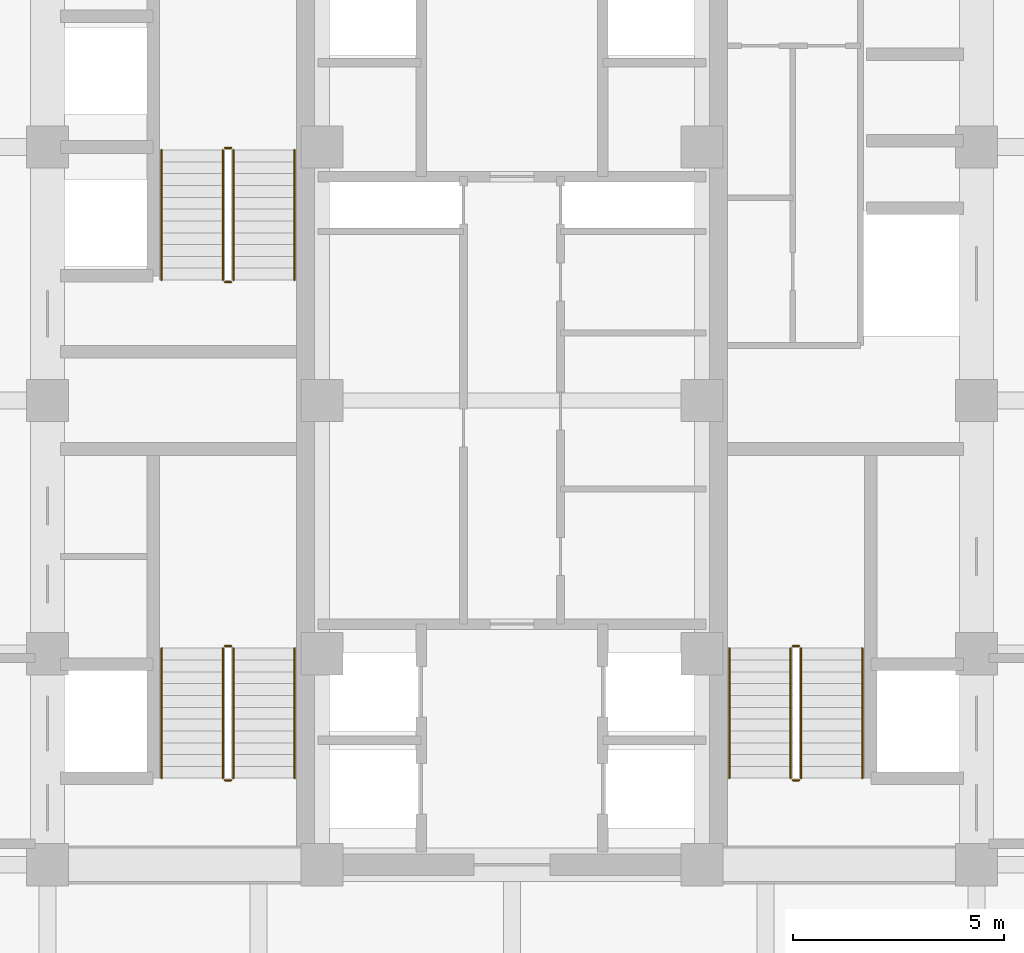
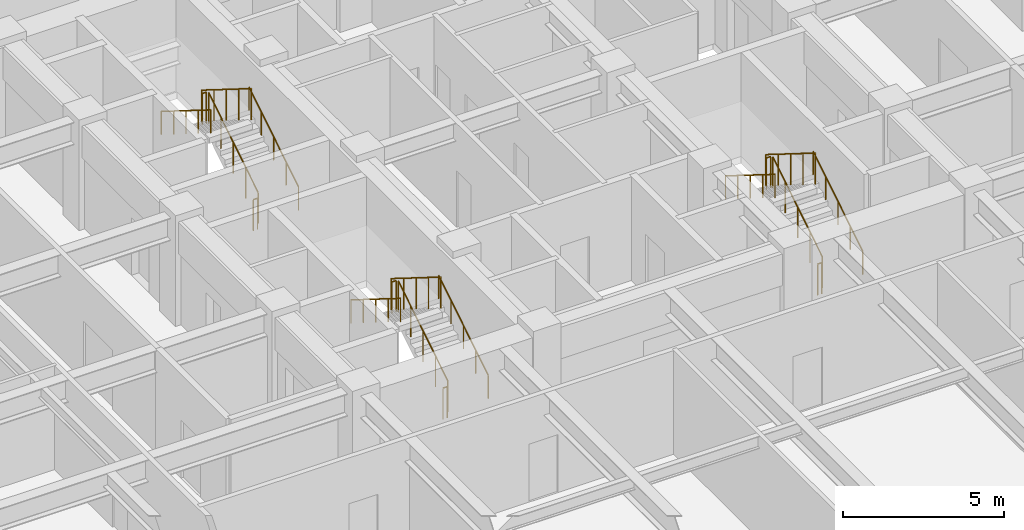
# One storey, part 27 of 27: 18 railings.
"""IFC4 building model written with IfcOpenShell, lengths in metres."""

import ifcopenshell
import ifcopenshell.guid

model = None  # the IFC model being written
_history = None  # IfcOwnerHistory: only IFC2X3 demands one
_inside = {}  # id of a spatial element -> (the spatial element, [elements in it])
_under = {}  # id of a project, library or spatial element -> (it, [spatial elements below it])
_declared = {}  # id of a project -> (the project, [libraries it declares])
_typed = {}  # id of a type object -> (the type object, [elements of that type])
_made_of = {}  # id of a material, layer set ... -> (it, [elements and type objects made of it])


def new_model(schema):
    """Start an empty IFC model of exactly this schema.

    Asked for "IFC4X3", IfcOpenShell would pick the latest addendum, in which some entities
    have other attributes; the version numbers below select the first issue.
    IFC2X3 requires an IfcOwnerHistory on every rooted entity: one is made here for all.
    """
    global model, _history
    if schema == "IFC4X3":
        model = ifcopenshell.file(schema_version=(4, 3, 0, 0))
    else:
        model = ifcopenshell.file(schema=schema)
    _inside.clear()
    _under.clear()
    _declared.clear()
    _typed.clear()
    _made_of.clear()
    _history = None
    if model.schema == "IFC2X3":
        org = make("IfcOrganization", Name="unknown")
        user = make(
            "IfcPersonAndOrganization",
            ThePerson=make("IfcPerson", FamilyName="unknown"),
            TheOrganization=org,
        )
        app = make(
            "IfcApplication",
            ApplicationDeveloper=org,
            Version="unknown",
            ApplicationFullName="unknown",
            ApplicationIdentifier="unknown",
        )
        _history = make(
            "IfcOwnerHistory",
            OwningUser=user,
            OwningApplication=app,
            ChangeAction="ADDED",
            CreationDate=0,
        )
    return model


def make(cls, **values):
    """One entity of the class cls with the attributes given. An attribute that is None is left unset."""
    return model.create_entity(
        cls, **{name: value for name, value in values.items() if value is not None}
    )


def rooted(cls, **values):
    """An entity with a GlobalId (a new one), such as an element, a storey or a relation."""
    return make(cls, GlobalId=ifcopenshell.guid.new(), OwnerHistory=_history, **values)


def si_unit(unit_type, name, prefix=None):
    """IfcSIUnit, for example si_unit("LENGTHUNIT", "METRE", prefix="MILLI")."""
    return make("IfcSIUnit", UnitType=unit_type, Prefix=prefix, Name=name)


def assignment(units):
    """IfcUnitAssignment: the units of a project."""
    return None if units is None else make("IfcUnitAssignment", Units=units)


def point(xyz):
    """IfcCartesianPoint."""
    return None if xyz is None else make("IfcCartesianPoint", Coordinates=xyz)


def direction(xyz):
    """IfcDirection."""
    return None if xyz is None else make("IfcDirection", DirectionRatios=xyz)


def frame(location, z_axis=None, x_axis=None):
    """IfcAxis2Placement3D, a coordinate frame: its origin and axes. An axis left out is left unset."""
    return make(
        "IfcAxis2Placement3D",
        Location=point(location),
        Axis=direction(z_axis),
        RefDirection=direction(x_axis),
    )


def frame_2d(location, x_axis=None):
    """IfcAxis2Placement2D, a coordinate frame in the plane: its origin and x axis."""
    return make(
        "IfcAxis2Placement2D", Location=point(location), RefDirection=direction(x_axis)
    )


def origin():
    """The frame at (0, 0, 0) with its axes left unset."""
    return frame((0.0, 0.0, 0.0))


def origin_2d():
    """The frame at (0, 0) in the plane with its x axis left unset."""
    return frame_2d((0.0, 0.0))


def place(relative_to, where):
    """IfcLocalPlacement: puts the frame where relative to a parent placement (None: the world)."""
    return make(
        "IfcLocalPlacement", PlacementRelTo=relative_to, RelativePlacement=where
    )


def context(
    kind, dimensions, precision=None, world=None, true_north=None, identifier=None
):
    """IfcGeometricRepresentationContext, for example the 3D "Model" context."""
    return make(
        "IfcGeometricRepresentationContext",
        ContextIdentifier=identifier,
        ContextType=kind,
        CoordinateSpaceDimension=dimensions,
        Precision=precision,
        WorldCoordinateSystem=world,
        TrueNorth=true_north,
    )


def subcontext(parent, identifier, kind, view, scale=None):
    """IfcGeometricRepresentationSubContext, for example "Body" below "Model"."""
    return make(
        "IfcGeometricRepresentationSubContext",
        ContextIdentifier=identifier,
        ContextType=kind,
        ParentContext=parent,
        TargetScale=scale,
        TargetView=view,
    )


def project(units=None, contexts=None):
    """IfcProject with its units and contexts."""
    return rooted(
        "IfcProject",
        Name="project",
        RepresentationContexts=contexts,
        UnitsInContext=assignment(units),
    )


def spatial(cls, under=None, at=None, **own):
    """A site, building, storey or space (cls), placed at a placement, below another one or the project."""
    s = rooted(cls, ObjectPlacement=at, **own)
    if under is not None:
        _under.setdefault(under.id(), (under, []))[1].append(s)
    return s


def profile(cls, at=None, kind="AREA", **sizes):
    """A parametric profile (cls). Its sizes go by their IFC names, for example OverallWidth=200.0."""
    return make(cls, ProfileType=kind, Position=at, **sizes)


def circle(**sizes):
    """IfcCircleProfileDef."""
    return profile("IfcCircleProfileDef", **sizes)


def extrude(swept, where, along, depth):
    """IfcExtrudedAreaSolid: the profile swept, set in the frame where, extruded along a direction by depth."""
    return make(
        "IfcExtrudedAreaSolid",
        SweptArea=swept,
        Position=where,
        ExtrudedDirection=direction(along),
        Depth=depth,
    )


def shape(context_of_items, identifier, shape_type, items):
    """IfcShapeRepresentation: the items that make up one representation, for example the "Body"."""
    return make(
        "IfcShapeRepresentation",
        ContextOfItems=context_of_items,
        RepresentationIdentifier=identifier,
        RepresentationType=shape_type,
        Items=items,
    )


def source(mapping_origin, context_of_items, identifier, shape_type, items):
    """IfcRepresentationMap: a shape defined once, which mapped items show again and again."""
    return make(
        "IfcRepresentationMap",
        MappingOrigin=mapping_origin,
        MappedRepresentation=shape(context_of_items, identifier, shape_type, items),
    )


def transform(
    local_origin,
    x_axis=None,
    y_axis=None,
    z_axis=None,
    scale=None,
    scale2=None,
    scale3=None,
    uniform=True,
):
    """IfcCartesianTransformationOperator3D, or its non-uniform kind. x_axis, y_axis, z_axis: its Axis1, 2, 3."""
    if uniform:
        return make(
            "IfcCartesianTransformationOperator3D",
            Axis1=direction(x_axis),
            Axis2=direction(y_axis),
            LocalOrigin=point(local_origin),
            Scale=scale,
            Axis3=direction(z_axis),
        )
    return make(
        "IfcCartesianTransformationOperator3DnonUniform",
        Axis1=direction(x_axis),
        Axis2=direction(y_axis),
        LocalOrigin=point(local_origin),
        Scale=scale,
        Axis3=direction(z_axis),
        Scale2=scale2,
        Scale3=scale3,
    )


def mapped(mapping_source, mapping_target):
    """IfcMappedItem: shows the shape of a source again, moved by a transform."""
    return make(
        "IfcMappedItem", MappingSource=mapping_source, MappingTarget=mapping_target
    )


def material(Name=None, Category=None):
    """IfcMaterial."""
    return make("IfcMaterial", Name=Name, Category=Category)


def made_of(thing, what):
    """Note that an element or type object is made of a material, layer set ...; save() writes the relation."""
    if what is not None:
        _made_of.setdefault(what.id(), (what, []))[1].append(thing)
    return thing


def type_object(cls, material=None, **own):
    """A type object (cls), such as IfcWallType, which elements share."""
    return made_of(rooted(cls, **own), material)


def element(
    cls,
    number,
    at=None,
    inside=None,
    cuts=None,
    type_object=None,
    material=None,
    context=None,
    identifier="Body",
    shape_type=None,
    held_by="IfcProductDefinitionShape",
    body=None,
    shapes=None,
    **own,
):
    """One element of the class cls, such as IfcWall. Its Tag is "e" and its number.

    at: its placement. inside: the storey or other place that contains it. cuts: it is an
    opening in that element (IfcRelVoidsElement). A single representation is given by context,
    identifier, shape_type and body (its items); several are given by shapes. held_by: the class
    of the entity that holds the representations. save() writes the other relations.
    """
    e = rooted(cls, Tag="e%d" % number, ObjectPlacement=at, **own)
    if body is not None:
        shapes = [shape(context, identifier, shape_type, body)]
    if shapes is not None:
        e.Representation = make(held_by, Representations=shapes)
    if inside is not None:
        _inside.setdefault(inside.id(), (inside, []))[1].append(e)
    if cuts is not None:
        rooted(
            "IfcRelVoidsElement", RelatingBuildingElement=cuts, RelatedOpeningElement=e
        )
    if type_object is not None:
        _typed.setdefault(type_object.id(), (type_object, []))[1].append(e)
    return made_of(e, material)


def aggregate(whole, parts):
    """IfcRelAggregates: a whole, such as a stair, and the parts it consists of."""
    return rooted("IfcRelAggregates", RelatingObject=whole, RelatedObjects=parts)


def save(model, path):
    """Write the relations noted so far, then the file.

    IfcRelAggregates (storeys below a building ...), IfcRelContainedInSpatialStructure (elements
    in a storey), IfcRelDefinesByType, IfcRelAssociatesMaterial and IfcRelDeclares: one each for
    every whole, place, type object, material and project.
    """
    for whole, parts in _under.values():
        aggregate(whole, parts)
    for where, things in _inside.values():
        rooted(
            "IfcRelContainedInSpatialStructure",
            RelatedElements=things,
            RelatingStructure=where,
        )
    for kind, things in _typed.values():
        rooted("IfcRelDefinesByType", RelatedObjects=things, RelatingType=kind)
    for what, things in _made_of.values():
        rooted("IfcRelAssociatesMaterial", RelatedObjects=things, RelatingMaterial=what)
    for by, libraries in _declared.values():
        rooted("IfcRelDeclares", RelatingContext=by, RelatedDefinitions=libraries)
    model.write(path)


model = new_model("IFC4")

# Units and contexts
model_context = context("Model", 3, precision=1e-05, world=origin(), true_north=direction((0.0, 1.0)))
body_context = subcontext(model_context, "Body", "Model", "MODEL_VIEW")
ifc_project = project(units=[si_unit("LENGTHUNIT", "METRE"), si_unit("AREAUNIT", "SQUARE_METRE"), si_unit("VOLUMEUNIT", "CUBIC_METRE"), si_unit("PLANEANGLEUNIT", "RADIAN"), si_unit("MASSUNIT", "GRAM", prefix="KILO")], contexts=[model_context])

# Site, building, storey
site_placement = place(None, origin())
site = spatial("IfcSite", under=ifc_project, at=site_placement, CompositionType="ELEMENT")
building_placement = place(site_placement, origin())
building = spatial("IfcBuilding", under=site, at=building_placement, Name="Khorayat Bourse Tower", CompositionType="ELEMENT")
storey_placement = place(building_placement, frame((0.0, 0.0, 49.39990234375)))
storey = spatial("IfcBuildingStorey", under=building, at=storey_placement, Name="L10", CompositionType="ELEMENT", Elevation=49.39990234375)

# Railings
ifc_material_1 = material(Name="Powder-coated steel balustrade", Category="steel")
railing_type_1 = type_object("IfcRailingType", Name="RLG-GUARD-1200", PredefinedType="GUARDRAIL", material=ifc_material_1)
shared_shape_1 = source(origin(), body_context, "Body", "SweptSolid", [
    extrude(circle(Radius=0.02392578125, at=origin_2d()), frame((0.0, 0.0, 1.17578125), z_axis=(-1.0, 0.0, 0.0), x_axis=(0.0, -1.0, 0.0)), (0.0, 0.0, 1.0), 0.150146484375),
    extrude(circle(Radius=0.02099609375, at=origin_2d()), origin(), (0.0, 0.0, 1.0), 1.15185546875),
    extrude(circle(Radius=0.02099609375, at=origin_2d()), frame((-0.150146484375, 0.0, 0.0)), (0.0, 0.0, 1.0), 1.15185546875),
])
for number, where, name in (
    (1, (-6.64990234375, -5.820068359375, 2.10009765625), "L10 ST-1 stair guard 2"),
    (2, (-6.64990234375, -9.0, 0.0), "L10 ST-1 stair guard 4"),
    (3, (-6.64990234375, 5.97998046875, 2.10009765625), "L10 ST-2 stair guard 2"),
    (4, (-6.64990234375, 2.800048828125, 0.0), "L10 ST-2 stair guard 4"),
    (5, (6.800048828125, -5.820068359375, 2.10009765625), "L10 ST-3 stair guard 2"),
    (6, (6.800048828125, -9.0, 0.0), "L10 ST-3 stair guard 4"),
):
    element("IfcRailing", number, at=place(storey_placement, frame(where)), inside=storey, type_object=railing_type_1, Name=name, PredefinedType="GUARDRAIL", context=body_context, shape_type="MappedRepresentation", body=[
        mapped(shared_shape_1, transform((0.0, 0.0, 0.0), scale=1.0)),
    ])
shared_shape_2 = source(origin(), body_context, "Body", "SweptSolid", [
    extrude(circle(Radius=0.02392578125, at=origin_2d()), frame((0.0, 0.0, 1.17578125), z_axis=(0.0, 0.847979421464, 0.530029150871), x_axis=(-1.0, 0.0, 0.0)), (0.0, 0.0, 1.0), 3.632080078125),
    extrude(circle(Radius=0.02099609375, at=origin_2d()), origin(), (0.0, 0.0, 1.0), 1.15185546875),
    extrude(circle(Radius=0.02099609375, at=origin_2d()), frame((0.0, 0.77001953125, 0.481201171875)), (0.0, 0.0, 1.0), 1.15185546875),
    extrude(circle(Radius=0.02099609375, at=origin_2d()), frame((0.0, 1.5400390625, 0.96240234375)), (0.0, 0.0, 1.0), 1.15185546875),
    extrude(circle(Radius=0.02099609375, at=origin_2d()), frame((0.0, 2.309814453125, 1.44384765625)), (0.0, 0.0, 1.0), 1.15185546875),
    extrude(circle(Radius=0.02099609375, at=origin_2d()), frame((0.0, 3.079833984375, 1.925048828125)), (0.0, 0.0, 1.0), 1.15185546875),
])
for number, where, name in (
    (7, (-6.60009765625, -8.949951171875, 0.175048828125), "L10 ST-1 stair guard 1"),
    (8, (-6.60009765625, 2.85009765625, 0.175048828125), "L10 ST-2 stair guard 1"),
    (9, (6.85009765625, -8.949951171875, 0.175048828125), "L10 ST-3 stair guard 1"),
):
    element("IfcRailing", number, at=place(storey_placement, frame(where)), inside=storey, type_object=railing_type_1, Name=name, PredefinedType="GUARDRAIL", context=body_context, shape_type="MappedRepresentation", body=[
        mapped(shared_shape_2, transform((0.0, 0.0, 0.0), scale=1.0)),
    ])
shared_shape_3 = source(origin(), body_context, "Body", "SweptSolid", [
    extrude(circle(Radius=0.02392578125, at=origin_2d()), frame((0.0, 0.0, 1.17578125), z_axis=(0.0, -0.847979421464, 0.530029150871), x_axis=(1.0, 0.0, 0.0)), (0.0, 0.0, 1.0), 3.632080078125),
    extrude(circle(Radius=0.02099609375, at=origin_2d()), origin(), (0.0, 0.0, 1.0), 1.15185546875),
    extrude(circle(Radius=0.02099609375, at=origin_2d()), frame((0.0, -0.77001953125, 0.481201171875)), (0.0, 0.0, 1.0), 1.15185546875),
    extrude(circle(Radius=0.02099609375, at=origin_2d()), frame((0.0, -1.5400390625, 0.96240234375)), (0.0, 0.0, 1.0), 1.15185546875),
    extrude(circle(Radius=0.02099609375, at=origin_2d()), frame((0.0, -2.309814453125, 1.44384765625)), (0.0, 0.0, 1.0), 1.15185546875),
    extrude(circle(Radius=0.02099609375, at=origin_2d()), frame((0.0, -3.079833984375, 1.925048828125)), (0.0, 0.0, 1.0), 1.15185546875),
])
for number, where, name in (
    (10, (-6.85009765625, -5.8701171875, 2.275146484375), "L10 ST-1 stair guard 3"),
    (11, (-6.85009765625, 5.929931640625, 2.275146484375), "L10 ST-2 stair guard 3"),
    (12, (6.60009765625, -5.8701171875, 2.275146484375), "L10 ST-3 stair guard 3"),
):
    element("IfcRailing", number, at=place(storey_placement, frame(where)), inside=storey, type_object=railing_type_1, Name=name, PredefinedType="GUARDRAIL", context=body_context, shape_type="MappedRepresentation", body=[
        mapped(shared_shape_3, transform((0.0, 0.0, 0.0), scale=1.0)),
    ])
ifc_material_2 = material(Name="Brushed bronze stainless-steel handrail", Category="steel")
railing_type_2 = type_object("IfcRailingType", Name="RLG-HAND-900", PredefinedType="HANDRAIL", material=ifc_material_2)
shared_shape_4 = source(origin(), body_context, "Body", "SweptSolid", [
    extrude(circle(Radius=0.02392578125, at=origin_2d()), frame((0.0, 0.0, 0.8759765625), z_axis=(0.0, 0.847979421464, 0.530029150871), x_axis=(-1.0, 0.0, 0.0)), (0.0, 0.0, 1.0), 3.632080078125),
    extrude(circle(Radius=0.02099609375, at=origin_2d()), origin(), (0.0, 0.0, 1.0), 0.851806640625),
    extrude(circle(Radius=0.02099609375, at=origin_2d()), frame((0.0, 0.77001953125, 0.481201171875)), (0.0, 0.0, 1.0), 0.851806640625),
    extrude(circle(Radius=0.02099609375, at=origin_2d()), frame((0.0, 1.5400390625, 0.96240234375)), (0.0, 0.0, 1.0), 0.851806640625),
    extrude(circle(Radius=0.02099609375, at=origin_2d()), frame((0.0, 2.309814453125, 1.44384765625)), (0.0, 0.0, 1.0), 0.851806640625),
    extrude(circle(Radius=0.02099609375, at=origin_2d()), frame((0.0, 3.079833984375, 1.925048828125)), (0.0, 0.0, 1.0), 0.851806640625),
])
for number, where, name in (
    (13, (-5.14990234375, -8.949951171875, 0.175048828125), "L10 ST-1 stair handrail 1"),
    (14, (-5.14990234375, 2.85009765625, 0.175048828125), "L10 ST-2 stair handrail 1"),
    (15, (8.300048828125, -8.949951171875, 0.175048828125), "L10 ST-3 stair handrail 1"),
):
    element("IfcRailing", number, at=place(storey_placement, frame(where)), inside=storey, type_object=railing_type_2, Name=name, PredefinedType="HANDRAIL", context=body_context, shape_type="MappedRepresentation", body=[
        mapped(shared_shape_4, transform((0.0, 0.0, 0.0), scale=1.0)),
    ])
shared_shape_5 = source(origin(), body_context, "Body", "SweptSolid", [
    extrude(circle(Radius=0.02392578125, at=origin_2d()), frame((0.0, 0.0, 0.8759765625), z_axis=(0.0, -0.847979421464, 0.530029150871), x_axis=(1.0, 0.0, 0.0)), (0.0, 0.0, 1.0), 3.632080078125),
    extrude(circle(Radius=0.02099609375, at=origin_2d()), origin(), (0.0, 0.0, 1.0), 0.851806640625),
    extrude(circle(Radius=0.02099609375, at=origin_2d()), frame((0.0, -0.77001953125, 0.481201171875)), (0.0, 0.0, 1.0), 0.851806640625),
    extrude(circle(Radius=0.02099609375, at=origin_2d()), frame((0.0, -1.5400390625, 0.96240234375)), (0.0, 0.0, 1.0), 0.851806640625),
    extrude(circle(Radius=0.02099609375, at=origin_2d()), frame((0.0, -2.309814453125, 1.44384765625)), (0.0, 0.0, 1.0), 0.851806640625),
    extrude(circle(Radius=0.02099609375, at=origin_2d()), frame((0.0, -3.079833984375, 1.925048828125)), (0.0, 0.0, 1.0), 0.851806640625),
])
for number, where, name in (
    (16, (-8.300048828125, -5.8701171875, 2.275146484375), "L10 ST-1 stair handrail 2"),
    (17, (-8.300048828125, 5.929931640625, 2.275146484375), "L10 ST-2 stair handrail 2"),
    (18, (5.14990234375, -5.8701171875, 2.275146484375), "L10 ST-3 stair handrail 2"),
):
    element("IfcRailing", number, at=place(storey_placement, frame(where)), inside=storey, type_object=railing_type_2, Name=name, PredefinedType="HANDRAIL", context=body_context, shape_type="MappedRepresentation", body=[
        mapped(shared_shape_5, transform((0.0, 0.0, 0.0), scale=1.0)),
    ])

save(model, "model.ifc")
